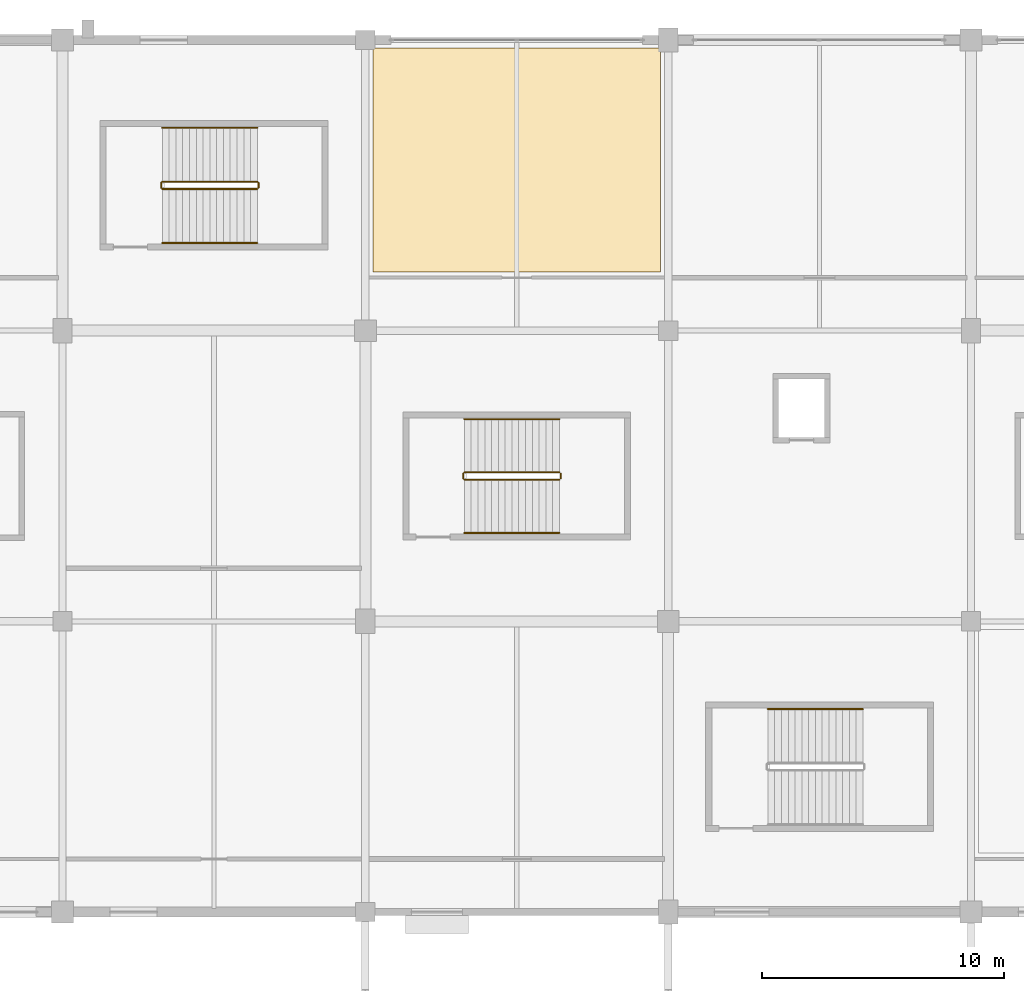
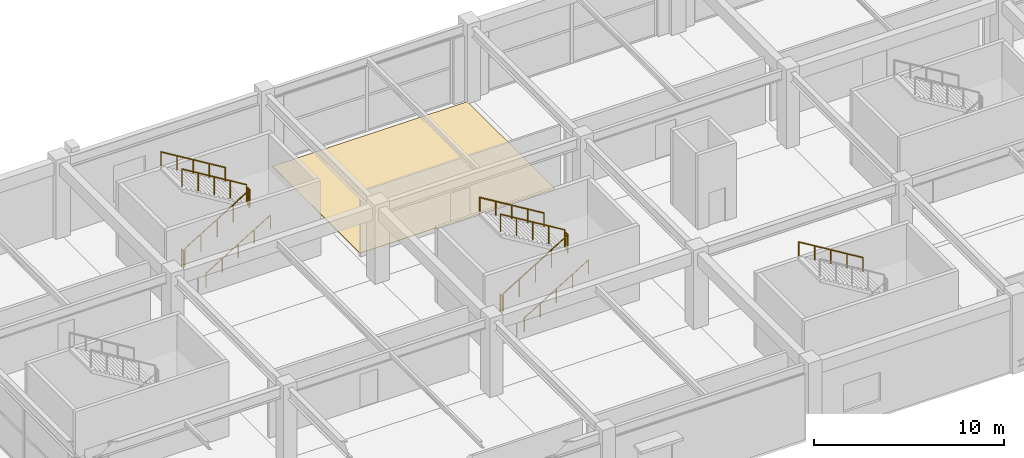
# One storey, part 113 of 116: 13 railings, 1 covering.
"""IFC4 building model written with IfcOpenShell, lengths in metres."""

from ifc_helpers import new_model, si_unit, direction, frame, origin, origin_2d, place, context, subcontext, project, spatial, polyline, circle, outline, extrude, material, layer, layer_set, type_object, element, save


model = new_model("IFC4")

# Units and contexts
model_context = context("Model", 3, precision=1e-05, world=origin(), true_north=direction((0.0, 1.0)))
body_context = subcontext(model_context, "Body", "Model", "MODEL_VIEW")
ifc_project = project(units=[si_unit("LENGTHUNIT", "METRE"), si_unit("AREAUNIT", "SQUARE_METRE"), si_unit("VOLUMEUNIT", "CUBIC_METRE"), si_unit("PLANEANGLEUNIT", "RADIAN"), si_unit("MASSUNIT", "GRAM", prefix="KILO")], contexts=[model_context])

# Site, building, storey
site_placement = place(None, origin())
site = spatial("IfcSite", under=ifc_project, at=site_placement, CompositionType="ELEMENT")
building_placement = place(site_placement, origin())
building = spatial("IfcBuilding", under=site, at=building_placement, Name="Kazenohara Klinker Stadium", CompositionType="ELEMENT")
storey_placement = place(building_placement, frame((0.0, 0.0, 10.199951171875)))
storey = spatial("IfcBuildingStorey", under=building, at=storey_placement, Name="L02", CompositionType="ELEMENT", Elevation=10.199951171875)

# Covering
ifc_material_1 = material(Name="Slip-resistant honed basalt terrazzo flooring", Category="masonry")
ifc_layer_1 = layer(ifc_material_1, 0.02001953125)
ifc_layer_set_1 = layer_set([ifc_layer_1], Name="Slip-resistant honed basalt terrazzo flooring")
covering_type = type_object("IfcCoveringType", Name="COV-FLR-01", PredefinedType="FLOORING", material=ifc_layer_set_1)
covering_placement = place(storey_placement, origin())
element("IfcCovering", 1, at=covering_placement, inside=storey, type_object=covering_type, Name="Interior floor finish FL01 Club Reception Dining Lounge L02-0613A", PredefinedType="FLOORING", context=body_context, shape_type="SweptSolid", body=[
    extrude(outline(polyline([(74.31005859375, 158.429931640625), (86.18994140625, 158.429931640625), (86.18994140625, 167.669921875), (74.31005859375, 167.669921875), (74.31005859375, 158.429931640625)])), origin(), (0.0, 0.0, 1.0), 0.02001953125),
])

# Railings
ifc_material_2 = material(Name="Brushed stainless steel 304 handrail", Category="steel")
ifc_layer_2 = layer(ifc_material_2, 0.050048828125)
ifc_layer_set_2 = layer_set([ifc_layer_2], Name="Brushed stainless steel 304 handrail")
railing_type_1 = type_object("IfcRailingType", Name="RL-HND-900", PredefinedType="HANDRAIL", material=ifc_layer_set_2)
railing_1_placement = place(storey_placement, frame((78.090087890625, 147.64990234375, 0.170166015625)))
element("IfcRailing", 2, at=railing_1_placement, inside=storey, type_object=railing_type_1, Name="L02 ST09 stair handrail 1", PredefinedType="HANDRAIL", context=body_context, shape_type="SweptSolid", body=[
    extrude(circle(Radius=0.02392578125, at=origin_2d()), frame((0.0, 0.0, 0.8759765625), z_axis=(0.854794262968, 0.0, 0.518967020143), x_axis=(0.0, 1.0, 0.0)), (0.0, 0.0, 1.0), 4.585693359375),
    extrude(circle(Radius=0.02099609375, at=origin_2d()), origin(), (0.0, 0.0, 1.0), 0.851806640625),
    extrude(circle(Radius=0.02099609375, at=origin_2d()), frame((0.97998046875, 0.0, 0.594970703125)), (0.0, 0.0, 1.0), 0.851806640625),
    extrude(circle(Radius=0.02099609375, at=origin_2d()), frame((1.9599609375, 0.0, 1.18994140625)), (0.0, 0.0, 1.0), 0.851806640625),
    extrude(circle(Radius=0.02099609375, at=origin_2d()), frame((2.93994140625, 0.0, 1.784912109375)), (0.0, 0.0, 1.0), 0.851806640625),
    extrude(circle(Radius=0.02099609375, at=origin_2d()), frame((3.919921875, 0.0, 2.3798828125)), (0.0, 0.0, 1.0), 0.851806640625),
])
railing_2_placement = place(storey_placement, frame((82.010009765625, 152.35009765625, 2.719970703125)))
element("IfcRailing", 3, at=railing_2_placement, inside=storey, type_object=railing_type_1, Name="L02 ST09 stair handrail 2", PredefinedType="HANDRAIL", context=body_context, shape_type="SweptSolid", body=[
    extrude(circle(Radius=0.02392578125, at=origin_2d()), frame((0.0, 0.0, 0.8759765625), z_axis=(-0.854770645689, 0.0, 0.519005918337), x_axis=(0.0, -1.0, 0.0)), (0.0, 0.0, 1.0), 4.5859375),
    extrude(circle(Radius=0.02099609375, at=origin_2d()), origin(), (0.0, 0.0, 1.0), 0.851806640625),
    extrude(circle(Radius=0.02099609375, at=origin_2d()), frame((-0.97998046875, 0.0, 0.594970703125)), (0.0, 0.0, 1.0), 0.851806640625),
    extrude(circle(Radius=0.02099609375, at=origin_2d()), frame((-1.9599609375, 0.0, 1.18994140625)), (0.0, 0.0, 1.0), 0.851806640625),
    extrude(circle(Radius=0.02099609375, at=origin_2d()), frame((-2.93994140625, 0.0, 1.78515625)), (0.0, 0.0, 1.0), 0.851806640625),
    extrude(circle(Radius=0.02099609375, at=origin_2d()), frame((-3.919921875, 0.0, 2.380126953125)), (0.0, 0.0, 1.0), 0.851806640625),
])
railing_3_placement = place(storey_placement, frame((65.6201171875, 159.6201171875, 0.170166015625)))
element("IfcRailing", 4, at=railing_3_placement, inside=storey, type_object=railing_type_1, Name="L02 ST15 stair handrail 1", PredefinedType="HANDRAIL", context=body_context, shape_type="SweptSolid", body=[
    extrude(circle(Radius=0.02392578125, at=origin_2d()), frame((0.0, 0.0, 0.8759765625), z_axis=(0.854794262968, 0.0, 0.518967020143), x_axis=(0.0, 1.0, 0.0)), (0.0, 0.0, 1.0), 4.585693359375),
    extrude(circle(Radius=0.02099609375, at=origin_2d()), origin(), (0.0, 0.0, 1.0), 0.851806640625),
    extrude(circle(Radius=0.02099609375, at=origin_2d()), frame((0.97998046875, 0.0, 0.594970703125)), (0.0, 0.0, 1.0), 0.851806640625),
    extrude(circle(Radius=0.02099609375, at=origin_2d()), frame((1.9599609375, 0.0, 1.18994140625)), (0.0, 0.0, 1.0), 0.851806640625),
    extrude(circle(Radius=0.02099609375, at=origin_2d()), frame((2.93994140625, 0.0, 1.784912109375)), (0.0, 0.0, 1.0), 0.851806640625),
    extrude(circle(Radius=0.02099609375, at=origin_2d()), frame((3.919921875, 0.0, 2.3798828125)), (0.0, 0.0, 1.0), 0.851806640625),
])
for number, where, name in (
    (5, (69.5400390625, 164.3798828125, 2.719970703125), "L02 ST15 stair handrail 2"),
    (6, (94.5400390625, 140.3798828125, 2.719970703125), "L02 ST19 stair handrail 2"),
):
    element("IfcRailing", number, at=place(storey_placement, frame(where)), inside=storey, type_object=railing_type_1, Name=name, PredefinedType="HANDRAIL", context=body_context, shape_type="SweptSolid", body=[
        extrude(circle(Radius=0.02392578125, at=origin_2d()), frame((0.0, 0.0, 0.8759765625), z_axis=(-0.854770645689, 0.0, 0.519005918337), x_axis=(0.0, -1.0, 0.0)), (0.0, 0.0, 1.0), 4.5859375),
        extrude(circle(Radius=0.02099609375, at=origin_2d()), origin(), (0.0, 0.0, 1.0), 0.851806640625),
        extrude(circle(Radius=0.02099609375, at=origin_2d()), frame((-0.97998046875, 0.0, 0.594970703125)), (0.0, 0.0, 1.0), 0.851806640625),
        extrude(circle(Radius=0.02099609375, at=origin_2d()), frame((-1.9599609375, 0.0, 1.18994140625)), (0.0, 0.0, 1.0), 0.851806640625),
        extrude(circle(Radius=0.02099609375, at=origin_2d()), frame((-2.93994140625, 0.0, 1.78515625)), (0.0, 0.0, 1.0), 0.851806640625),
        extrude(circle(Radius=0.02099609375, at=origin_2d()), frame((-3.919921875, 0.0, 2.380126953125)), (0.0, 0.0, 1.0), 0.851806640625),
    ])
ifc_material_3 = material(Name="Painted steel stairwell guardrail", Category="steel")
ifc_layer_3 = layer(ifc_material_3, 0.06005859375)
ifc_layer_set_3 = layer_set([ifc_layer_3], Name="Painted steel stairwell guardrail")
railing_type_2 = type_object("IfcRailingType", Name="RL-STG-1120", PredefinedType="GUARDRAIL", material=ifc_layer_set_3)
railing_4_placement = place(storey_placement, frame((78.090087890625, 149.85009765625, 0.170166015625)))
element("IfcRailing", 7, at=railing_4_placement, inside=storey, type_object=railing_type_2, Name="L02 ST09 stair guard 1", PredefinedType="GUARDRAIL", context=body_context, shape_type="SweptSolid", body=[
    extrude(circle(Radius=0.02392578125, at=origin_2d()), frame((0.0, 0.0, 1.1259765625), z_axis=(0.854794262968, 0.0, 0.518967020143), x_axis=(0.0, 1.0, 0.0)), (0.0, 0.0, 1.0), 4.585693359375),
    extrude(circle(Radius=0.02099609375, at=origin_2d()), origin(), (0.0, 0.0, 1.0), 1.101806640625),
    extrude(circle(Radius=0.02099609375, at=origin_2d()), frame((0.97998046875, 0.0, 0.594970703125)), (0.0, 0.0, 1.0), 1.101806640625),
    extrude(circle(Radius=0.02099609375, at=origin_2d()), frame((1.9599609375, 0.0, 1.18994140625)), (0.0, 0.0, 1.0), 1.101806640625),
    extrude(circle(Radius=0.02099609375, at=origin_2d()), frame((2.93994140625, 0.0, 1.784912109375)), (0.0, 0.0, 1.0), 1.101806640625),
    extrude(circle(Radius=0.02099609375, at=origin_2d()), frame((3.919921875, 0.0, 2.3798828125)), (0.0, 0.0, 1.0), 1.101806640625),
])
railing_5_placement = place(storey_placement, frame((82.06005859375, 149.89990234375, 2.550048828125)))
element("IfcRailing", 8, at=railing_5_placement, inside=storey, type_object=railing_type_2, Name="L02 ST09 stair guard 2", PredefinedType="GUARDRAIL", context=body_context, shape_type="SweptSolid", body=[
    extrude(circle(Radius=0.02392578125, at=origin_2d()), frame((0.0, 0.0, 1.1259765625), z_axis=(0.0, 1.0, 0.0), x_axis=(-1.0, 0.0, 0.0)), (0.0, 0.0, 1.0), 0.2001953125),
    extrude(circle(Radius=0.02099609375, at=origin_2d()), origin(), (0.0, 0.0, 1.0), 1.101806640625),
    extrude(circle(Radius=0.02099609375, at=origin_2d()), frame((0.0, 0.2001953125, 0.0)), (0.0, 0.0, 1.0), 1.101806640625),
])
railing_6_placement = place(storey_placement, frame((82.010009765625, 150.14990234375, 2.719970703125)))
element("IfcRailing", 9, at=railing_6_placement, inside=storey, type_object=railing_type_2, Name="L02 ST09 stair guard 3", PredefinedType="GUARDRAIL", context=body_context, shape_type="SweptSolid", body=[
    extrude(circle(Radius=0.02392578125, at=origin_2d()), frame((0.0, 0.0, 1.1259765625), z_axis=(-0.854770645689, 0.0, 0.519005918337), x_axis=(0.0, -1.0, 0.0)), (0.0, 0.0, 1.0), 4.5859375),
    extrude(circle(Radius=0.02099609375, at=origin_2d()), origin(), (0.0, 0.0, 1.0), 1.101806640625),
    extrude(circle(Radius=0.02099609375, at=origin_2d()), frame((-0.97998046875, 0.0, 0.594970703125)), (0.0, 0.0, 1.0), 1.101806640625),
    extrude(circle(Radius=0.02099609375, at=origin_2d()), frame((-1.9599609375, 0.0, 1.18994140625)), (0.0, 0.0, 1.0), 1.101806640625),
    extrude(circle(Radius=0.02099609375, at=origin_2d()), frame((-2.93994140625, 0.0, 1.78515625)), (0.0, 0.0, 1.0), 1.101806640625),
    extrude(circle(Radius=0.02099609375, at=origin_2d()), frame((-3.919921875, 0.0, 2.380126953125)), (0.0, 0.0, 1.0), 1.101806640625),
])
railing_7_placement = place(storey_placement, frame((78.0400390625, 149.89990234375, 0.0)))
element("IfcRailing", 10, at=railing_7_placement, inside=storey, type_object=railing_type_2, Name="L02 ST09 stair guard 4", PredefinedType="GUARDRAIL", context=body_context, shape_type="SweptSolid", body=[
    extrude(circle(Radius=0.02392578125, at=origin_2d()), frame((0.0, 0.0, 1.1259765625), z_axis=(0.0, 1.0, 0.0), x_axis=(-1.0, 0.0, 0.0)), (0.0, 0.0, 1.0), 0.2001953125),
    extrude(circle(Radius=0.02099609375, at=origin_2d()), origin(), (0.0, 0.0, 1.0), 1.101806640625),
    extrude(circle(Radius=0.02099609375, at=origin_2d()), frame((0.0, 0.2001953125, 0.0)), (0.0, 0.0, 1.0), 1.101806640625),
])
railing_8_placement = place(storey_placement, frame((65.6201171875, 161.85009765625, 0.170166015625)))
element("IfcRailing", 11, at=railing_8_placement, inside=storey, type_object=railing_type_2, Name="L02 ST15 stair guard 1", PredefinedType="GUARDRAIL", context=body_context, shape_type="SweptSolid", body=[
    extrude(circle(Radius=0.02392578125, at=origin_2d()), frame((0.0, 0.0, 1.1259765625), z_axis=(0.854794262968, 0.0, 0.518967020143), x_axis=(0.0, 1.0, 0.0)), (0.0, 0.0, 1.0), 4.585693359375),
    extrude(circle(Radius=0.02099609375, at=origin_2d()), origin(), (0.0, 0.0, 1.0), 1.101806640625),
    extrude(circle(Radius=0.02099609375, at=origin_2d()), frame((0.97998046875, 0.0, 0.594970703125)), (0.0, 0.0, 1.0), 1.101806640625),
    extrude(circle(Radius=0.02099609375, at=origin_2d()), frame((1.9599609375, 0.0, 1.18994140625)), (0.0, 0.0, 1.0), 1.101806640625),
    extrude(circle(Radius=0.02099609375, at=origin_2d()), frame((2.93994140625, 0.0, 1.784912109375)), (0.0, 0.0, 1.0), 1.101806640625),
    extrude(circle(Radius=0.02099609375, at=origin_2d()), frame((3.919921875, 0.0, 2.3798828125)), (0.0, 0.0, 1.0), 1.101806640625),
])
railing_9_placement = place(storey_placement, frame((69.590087890625, 161.89990234375, 2.550048828125)))
element("IfcRailing", 12, at=railing_9_placement, inside=storey, type_object=railing_type_2, Name="L02 ST15 stair guard 2", PredefinedType="GUARDRAIL", context=body_context, shape_type="SweptSolid", body=[
    extrude(circle(Radius=0.02392578125, at=origin_2d()), frame((0.0, 0.0, 1.1259765625), z_axis=(0.0, 1.0, 0.0), x_axis=(-1.0, 0.0, 0.0)), (0.0, 0.0, 1.0), 0.2001953125),
    extrude(circle(Radius=0.02099609375, at=origin_2d()), origin(), (0.0, 0.0, 1.0), 1.101806640625),
    extrude(circle(Radius=0.02099609375, at=origin_2d()), frame((0.0, 0.2001953125, 0.0)), (0.0, 0.0, 1.0), 1.101806640625),
])
railing_10_placement = place(storey_placement, frame((69.5400390625, 162.14990234375, 2.719970703125)))
element("IfcRailing", 13, at=railing_10_placement, inside=storey, type_object=railing_type_2, Name="L02 ST15 stair guard 3", PredefinedType="GUARDRAIL", context=body_context, shape_type="SweptSolid", body=[
    extrude(circle(Radius=0.02392578125, at=origin_2d()), frame((0.0, 0.0, 1.1259765625), z_axis=(-0.854770645689, 0.0, 0.519005918337), x_axis=(0.0, -1.0, 0.0)), (0.0, 0.0, 1.0), 4.5859375),
    extrude(circle(Radius=0.02099609375, at=origin_2d()), origin(), (0.0, 0.0, 1.0), 1.101806640625),
    extrude(circle(Radius=0.02099609375, at=origin_2d()), frame((-0.97998046875, 0.0, 0.594970703125)), (0.0, 0.0, 1.0), 1.101806640625),
    extrude(circle(Radius=0.02099609375, at=origin_2d()), frame((-1.9599609375, 0.0, 1.18994140625)), (0.0, 0.0, 1.0), 1.101806640625),
    extrude(circle(Radius=0.02099609375, at=origin_2d()), frame((-2.93994140625, 0.0, 1.78515625)), (0.0, 0.0, 1.0), 1.101806640625),
    extrude(circle(Radius=0.02099609375, at=origin_2d()), frame((-3.919921875, 0.0, 2.380126953125)), (0.0, 0.0, 1.0), 1.101806640625),
])
railing_11_placement = place(storey_placement, frame((65.570068359375, 161.89990234375, 0.0)))
element("IfcRailing", 14, at=railing_11_placement, inside=storey, type_object=railing_type_2, Name="L02 ST15 stair guard 4", PredefinedType="GUARDRAIL", context=body_context, shape_type="SweptSolid", body=[
    extrude(circle(Radius=0.02392578125, at=origin_2d()), frame((0.0, 0.0, 1.1259765625), z_axis=(0.0, 1.0, 0.0), x_axis=(-1.0, 0.0, 0.0)), (0.0, 0.0, 1.0), 0.2001953125),
    extrude(circle(Radius=0.02099609375, at=origin_2d()), origin(), (0.0, 0.0, 1.0), 1.101806640625),
    extrude(circle(Radius=0.02099609375, at=origin_2d()), frame((0.0, 0.2001953125, 0.0)), (0.0, 0.0, 1.0), 1.101806640625),
])

save(model, "model.ifc")
